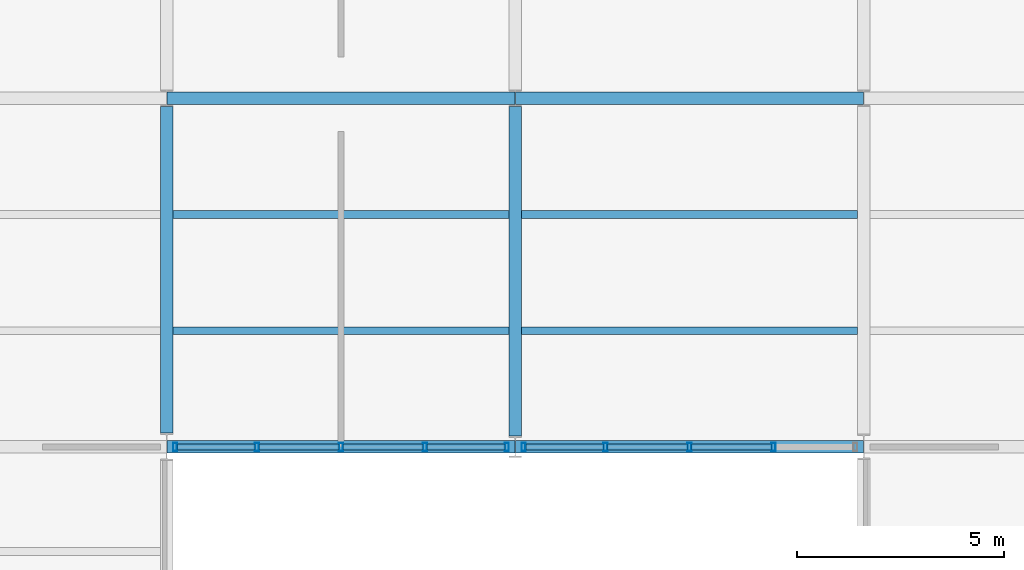
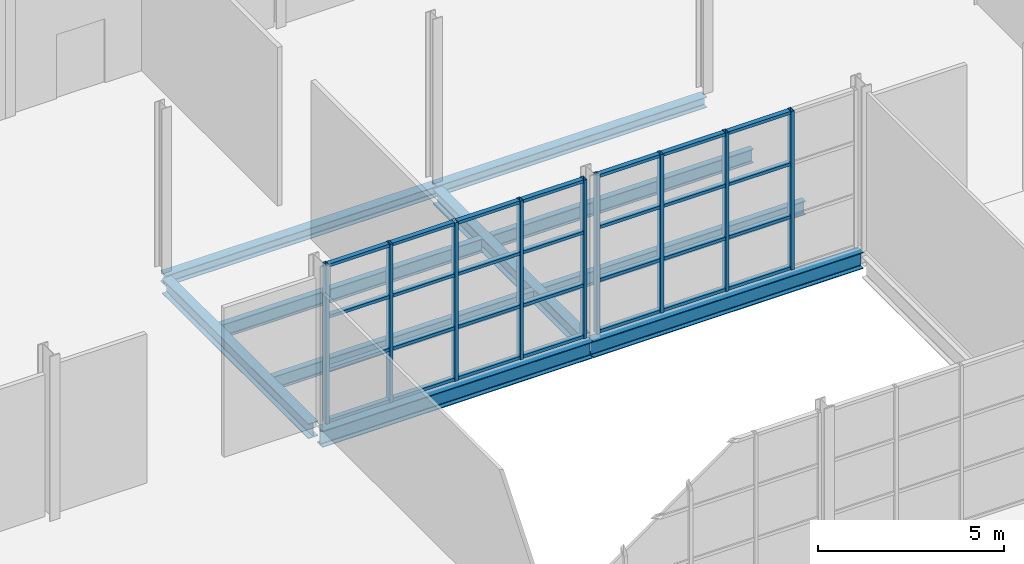
# One storey, part 14 of 57: 37 members, 10 beams, 2 elements without a shape of their own.
"""IFC4 building model written with IfcOpenShell, lengths in metres."""

from ifc_helpers import new_model, si_unit, direction, frame, origin, origin_2d, place, context, subcontext, project, spatial, hollow_rectangle, i_section, extrude, material, layer, layer_set, material_profile, profile_set, type_object, element, aggregate, save


model = new_model("IFC4")

# Units and contexts
model_context = context("Model", 3, precision=1e-05, world=origin(), true_north=direction((0.0, 1.0)))
body_context = subcontext(model_context, "Body", "Model", "MODEL_VIEW")
ifc_project = project(units=[si_unit("LENGTHUNIT", "METRE"), si_unit("AREAUNIT", "SQUARE_METRE"), si_unit("VOLUMEUNIT", "CUBIC_METRE"), si_unit("PLANEANGLEUNIT", "RADIAN"), si_unit("MASSUNIT", "GRAM", prefix="KILO")], contexts=[model_context])

# Site, building, storey
site_placement = place(None, origin())
site = spatial("IfcSite", under=ifc_project, at=site_placement, CompositionType="ELEMENT")
building_placement = place(site_placement, origin())
building = spatial("IfcBuilding", under=site, at=building_placement, Name="Galleria Vessillo Department Store", CompositionType="ELEMENT")
storey_placement = place(building_placement, frame((0.0, 0.0, 25.800048828125)))
storey = spatial("IfcBuildingStorey", under=building, at=storey_placement, Name="L05", CompositionType="ELEMENT", Elevation=25.800048828125)

# Beams
ifc_material_1 = material(Name="Steel S355 J2", Category="steel")
ifc_material_profile_1 = material_profile(ifc_material_1, i_section(OverallWidth=0.300048828125, OverallDepth=0.489990234375, WebThickness=0.011962890625, FlangeThickness=0.02294921875, FilletRadius=0.027099609375, at=origin_2d()), Name="HEA 500")
ifc_profile_set_1 = profile_set([ifc_material_profile_1], Name="Steel S355 J2")
beam_type_1 = type_object("IfcBeamType", Name="Floor girder HEA 500", PredefinedType="BEAM", material=ifc_profile_set_1)
beam_1_placement = place(storey_placement, frame((16.800048828125, 38.134033203125, -0.39501953125), z_axis=(0.0, 1.0, 0.0), x_axis=(-1.0, 0.0, 0.0)))
element("IfcBeam", 1, at=beam_1_placement, inside=storey, type_object=beam_type_1, Name="S-BM-L05-GI-y16800-38134", PredefinedType="BEAM", context=body_context, shape_type="SweptSolid", body=[
    extrude(i_section(OverallWidth=0.300048828125, OverallDepth=0.489990234375, WebThickness=0.011962890625, FlangeThickness=0.02294921875, FilletRadius=0.027099609375, at=origin_2d()), origin(), (0.0, 0.0, 1.0), 7.86572265625),
])
beam_2_placement = place(storey_placement, frame((25.199951171875, 38.06201171875, -0.39501953125), z_axis=(0.0, 1.0, 0.0), x_axis=(-1.0, 0.0, 0.0)))
element("IfcBeam", 2, at=beam_2_placement, inside=storey, type_object=beam_type_1, Name="S-BM-L05-GI-y25200-38062", PredefinedType="BEAM", context=body_context, shape_type="SweptSolid", body=[
    extrude(i_section(OverallWidth=0.300048828125, OverallDepth=0.489990234375, WebThickness=0.011962890625, FlangeThickness=0.02294921875, FilletRadius=0.027099609375, at=origin_2d()), origin(), (0.0, 0.0, 1.0), 7.937744140625),
])
ifc_material_2 = material(Name="Steel S355 J2", Category="steel")
ifc_material_profile_2 = material_profile(ifc_material_2, i_section(OverallWidth=0.18994140625, OverallDepth=0.449951171875, WebThickness=0.009521484375, FlangeThickness=0.0146484375, FilletRadius=0.02099609375, at=origin_2d()), Name="IPE 450")
ifc_profile_set_2 = profile_set([ifc_material_profile_2], Name="Steel S355 J2")
beam_type_2 = type_object("IfcBeamType", Name="Floor joist IPE 450", PredefinedType="JOIST", material=ifc_profile_set_2)
for number, where, z_axis, x_axis, name in (
    (3, (16.9501953125, 40.60009765625, -0.375), (1.0, 0.0, 0.0), (0.0, 1.0, 0.0), "S-BM-L05-JO-x40600-16950"),
    (4, (16.9501953125, 43.39990234375, -0.375), (1.0, 0.0, 0.0), (0.0, 1.0, 0.0), "S-BM-L05-JO-x43400-16950"),
):
    element("IfcBeam", number, at=place(storey_placement, frame(where, z_axis=z_axis, x_axis=x_axis)), inside=storey, type_object=beam_type_2, Name=name, PredefinedType="JOIST", context=body_context, shape_type="SweptSolid", body=[
        extrude(i_section(OverallWidth=0.18994140625, OverallDepth=0.449951171875, WebThickness=0.009521484375, FlangeThickness=0.0146484375, FilletRadius=0.02099609375, at=origin_2d()), origin(), (0.0, 0.0, 1.0), 8.099609375),
    ])
for number, where, z_axis, x_axis, name in (
    (5, (25.35009765625, 40.60009765625, -0.375), (1.0, 0.0, 0.0), (0.0, 1.0, 0.0), "S-BM-L05-JO-x40600-25350"),
    (6, (25.35009765625, 43.39990234375, -0.375), (1.0, 0.0, 0.0), (0.0, 1.0, 0.0), "S-BM-L05-JO-x43400-25350"),
):
    element("IfcBeam", number, at=place(storey_placement, frame(where, z_axis=z_axis, x_axis=x_axis)), inside=storey, type_object=beam_type_2, Name=name, PredefinedType="JOIST", context=body_context, shape_type="SweptSolid", body=[
        extrude(i_section(OverallWidth=0.18994140625, OverallDepth=0.449951171875, WebThickness=0.009521484375, FlangeThickness=0.0146484375, FilletRadius=0.02099609375, at=origin_2d()), origin(), (0.0, 0.0, 1.0), 8.099853515625),
    ])
ifc_material_3 = material(Name="Steel S355 J2", Category="steel")
ifc_material_profile_3 = material_profile(ifc_material_3, i_section(OverallWidth=0.300048828125, OverallDepth=0.35009765625, WebThickness=0.010009765625, FlangeThickness=0.017578125, FilletRadius=0.027099609375, at=origin_2d()), Name="HEA 360")
ifc_profile_set_3 = profile_set([ifc_material_profile_3], Name="Steel S355 J2")
beam_type_3 = type_object("IfcBeamType", Name="Floor tie girder HEA 360", PredefinedType="BEAM", material=ifc_profile_set_3)
for number, where, z_axis, x_axis, name in (
    (7, (16.806884765625, 46.199951171875, -0.324951171875), (1.0, 0.0, 0.0), (0.0, 1.0, 0.0), "S-BM-L05-TI-x46200-16807"),
    (8, (25.206787109375, 46.199951171875, -0.324951171875), (1.0, 0.0, 0.0), (0.0, 1.0, 0.0), "S-BM-L05-TI-x46200-25207"),
):
    element("IfcBeam", number, at=place(storey_placement, frame(where, z_axis=z_axis, x_axis=x_axis)), inside=storey, type_object=beam_type_3, Name=name, PredefinedType="BEAM", context=body_context, shape_type="SweptSolid", body=[
        extrude(i_section(OverallWidth=0.300048828125, OverallDepth=0.35009765625, WebThickness=0.010009765625, FlangeThickness=0.017578125, FilletRadius=0.027099609375, at=origin_2d()), origin(), (0.0, 0.0, 1.0), 8.38623046875),
    ])

# Curtain wall, members
ifc_material_4 = material(Name="Steel and fire-resisting glass curtain wall", Category="steel")
ifc_layer = layer(ifc_material_4, 0.199951171875)
ifc_layer_set = layer_set([ifc_layer], Name="Steel and fire-resisting glass curtain wall")
curtain_wall_type = type_object("IfcCurtainWallType", Name="Arcade fire-resisting glazed shopfront EI 120-Sa", PredefinedType="NOTDEFINED", material=ifc_layer_set)
curtain_wall_1_placement = place(storey_placement, origin())
curtain_wall_1 = element("IfcCurtainWall", 9, at=curtain_wall_1_placement, inside=storey, type_object=curtain_wall_type, Name="Arcade fire-resisting glazed shopfront EI 120-Sa AI-AW-N-L05-01", PredefinedType="NOTDEFINED")
ifc_material_5 = material(Name="Steel S355 J2", Category="steel")
ifc_material_profile_4 = material_profile(ifc_material_5, hollow_rectangle(XDim=0.199951171875, YDim=0.10009765625, WallThickness=0.008056640625, at=origin_2d()), Name="RHS 200x100x8")
ifc_profile_set_4 = profile_set([ifc_material_profile_4], Name="Steel S355 J2")
member_type_1 = type_object("IfcMemberType", Name="Steel mullion RHS 200x100x8", PredefinedType="MULLION", material=ifc_profile_set_4)
member_1_placement = place(storey_placement, frame((17.002685546875, 37.800048828125, 0.0), z_axis=(0.0, 0.0, 1.0), x_axis=(0.0, 1.0, 0.0)))
member_1 = element("IfcMember", 10, at=member_1_placement, type_object=member_type_1, Name="CW7 mullion 1", PredefinedType="MULLION", context=body_context, shape_type="SweptSolid", body=[
    extrude(hollow_rectangle(XDim=0.199951171875, YDim=0.10009765625, WallThickness=0.008056640625, at=origin_2d()), origin(), (0.0, 0.0, 1.0), 5.199951171875),
])
member_2_placement = place(storey_placement, frame((18.97607421875, 37.800048828125, 0.0), z_axis=(0.0, 0.0, 1.0), x_axis=(0.0, 1.0, 0.0)))
member_2 = element("IfcMember", 11, at=member_2_placement, type_object=member_type_1, Name="CW7 mullion 2", PredefinedType="MULLION", context=body_context, shape_type="SweptSolid", body=[
    extrude(hollow_rectangle(XDim=0.199951171875, YDim=0.10009765625, WallThickness=0.008056640625, at=origin_2d()), origin(), (0.0, 0.0, 1.0), 5.199951171875),
])
member_3_placement = place(storey_placement, frame((20.999755859375, 37.800048828125, 0.0), z_axis=(0.0, 0.0, 1.0), x_axis=(0.0, 1.0, 0.0)))
member_3 = element("IfcMember", 12, at=member_3_placement, type_object=member_type_1, Name="CW7 mullion 3", PredefinedType="MULLION", context=body_context, shape_type="SweptSolid", body=[
    extrude(hollow_rectangle(XDim=0.199951171875, YDim=0.10009765625, WallThickness=0.008056640625, at=origin_2d()), origin(), (0.0, 0.0, 1.0), 5.199951171875),
])
member_4_placement = place(storey_placement, frame((23.0234375, 37.800048828125, 0.0), z_axis=(0.0, 0.0, 1.0), x_axis=(0.0, 1.0, 0.0)))
member_4 = element("IfcMember", 13, at=member_4_placement, type_object=member_type_1, Name="CW7 mullion 4", PredefinedType="MULLION", context=body_context, shape_type="SweptSolid", body=[
    extrude(hollow_rectangle(XDim=0.199951171875, YDim=0.10009765625, WallThickness=0.008056640625, at=origin_2d()), origin(), (0.0, 0.0, 1.0), 5.199951171875),
])
member_5_placement = place(storey_placement, frame((24.996826171875, 37.800048828125, 0.0), z_axis=(0.0, 0.0, 1.0), x_axis=(0.0, 1.0, 0.0)))
member_5 = element("IfcMember", 14, at=member_5_placement, type_object=member_type_1, Name="CW7 mullion 5", PredefinedType="MULLION", context=body_context, shape_type="SweptSolid", body=[
    extrude(hollow_rectangle(XDim=0.199951171875, YDim=0.10009765625, WallThickness=0.008056640625, at=origin_2d()), origin(), (0.0, 0.0, 1.0), 5.199951171875),
])

curtain_wall_2_placement = place(storey_placement, origin())
curtain_wall_2 = element("IfcCurtainWall", 15, at=curtain_wall_2_placement, inside=storey, type_object=curtain_wall_type, Name="Arcade fire-resisting glazed shopfront EI 120-Sa AI-AW-N-L05-02", PredefinedType="NOTDEFINED")
member_6_placement = place(storey_placement, frame((25.403076171875, 37.800048828125, 0.0), z_axis=(0.0, 0.0, 1.0), x_axis=(0.0, 1.0, 0.0)))
member_6 = element("IfcMember", 16, at=member_6_placement, type_object=member_type_1, Name="CW7 mullion 1", PredefinedType="MULLION", context=body_context, shape_type="SweptSolid", body=[
    extrude(hollow_rectangle(XDim=0.199951171875, YDim=0.10009765625, WallThickness=0.008056640625, at=origin_2d()), origin(), (0.0, 0.0, 1.0), 5.199951171875),
])
member_7_placement = place(storey_placement, frame((27.376708984375, 37.800048828125, 0.0), z_axis=(0.0, 0.0, 1.0), x_axis=(0.0, 1.0, 0.0)))
member_7 = element("IfcMember", 17, at=member_7_placement, type_object=member_type_1, Name="CW7 mullion 2", PredefinedType="MULLION", context=body_context, shape_type="SweptSolid", body=[
    extrude(hollow_rectangle(XDim=0.199951171875, YDim=0.10009765625, WallThickness=0.008056640625, at=origin_2d()), origin(), (0.0, 0.0, 1.0), 5.199951171875),
])
member_8_placement = place(storey_placement, frame((29.400390625, 37.800048828125, 0.0), z_axis=(0.0, 0.0, 1.0), x_axis=(0.0, 1.0, 0.0)))
member_8 = element("IfcMember", 18, at=member_8_placement, type_object=member_type_1, Name="CW7 mullion 3", PredefinedType="MULLION", context=body_context, shape_type="SweptSolid", body=[
    extrude(hollow_rectangle(XDim=0.199951171875, YDim=0.10009765625, WallThickness=0.008056640625, at=origin_2d()), origin(), (0.0, 0.0, 1.0), 5.199951171875),
])
member_9_placement = place(storey_placement, frame((31.423828125, 37.800048828125, 0.0), z_axis=(0.0, 0.0, 1.0), x_axis=(0.0, 1.0, 0.0)))
member_9 = element("IfcMember", 19, at=member_9_placement, type_object=member_type_1, Name="CW7 mullion 4", PredefinedType="MULLION", context=body_context, shape_type="SweptSolid", body=[
    extrude(hollow_rectangle(XDim=0.199951171875, YDim=0.10009765625, WallThickness=0.008056640625, at=origin_2d()), origin(), (0.0, 0.0, 1.0), 5.199951171875),
])

# Member
ifc_material_6 = material(Name="Steel S355 J2", Category="steel")
ifc_material_profile_5 = material_profile(ifc_material_6, hollow_rectangle(XDim=0.14990234375, YDim=0.10009765625, WallThickness=0.008056640625, at=origin_2d()), Name="RHS 150x100x8")
ifc_profile_set_5 = profile_set([ifc_material_profile_5], Name="Steel S355 J2")
member_type_2 = type_object("IfcMemberType", Name="Steel transom RHS 150x100x8", PredefinedType="USERDEFINED", material=ifc_profile_set_5)
member_10_placement = place(storey_placement, frame((17.052734375, 37.800048828125, 0.050048828125), z_axis=(1.0, 0.0, 0.0), x_axis=(0.0, 1.0, 0.0)))
member_10 = element("IfcMember", 20, at=member_10_placement, type_object=member_type_2, Name="CW7 transom 1.1", ObjectType="TRANSOM", PredefinedType="USERDEFINED", context=body_context, shape_type="SweptSolid", body=[
    extrude(hollow_rectangle(XDim=0.14990234375, YDim=0.10009765625, WallThickness=0.008056640625, at=origin_2d()), origin(), (0.0, 0.0, 1.0), 1.87353515625),
])

member_11_placement = place(storey_placement, frame((17.052734375, 37.800048828125, 1.7333984375), z_axis=(1.0, 0.0, 0.0), x_axis=(0.0, 1.0, 0.0)))
member_11 = element("IfcMember", 21, at=member_11_placement, type_object=member_type_2, Name="CW7 transom 1.2", ObjectType="TRANSOM", PredefinedType="USERDEFINED", context=body_context, shape_type="SweptSolid", body=[
    extrude(hollow_rectangle(XDim=0.14990234375, YDim=0.10009765625, WallThickness=0.008056640625, at=origin_2d()), origin(), (0.0, 0.0, 1.0), 1.87353515625),
])

member_12_placement = place(storey_placement, frame((17.052734375, 37.800048828125, 3.466552734375), z_axis=(1.0, 0.0, 0.0), x_axis=(0.0, 1.0, 0.0)))
member_12 = element("IfcMember", 22, at=member_12_placement, type_object=member_type_2, Name="CW7 transom 1.3", ObjectType="TRANSOM", PredefinedType="USERDEFINED", context=body_context, shape_type="SweptSolid", body=[
    extrude(hollow_rectangle(XDim=0.14990234375, YDim=0.10009765625, WallThickness=0.008056640625, at=origin_2d()), origin(), (0.0, 0.0, 1.0), 1.87353515625),
])

member_13_placement = place(storey_placement, frame((17.052734375, 37.800048828125, 5.14990234375), z_axis=(1.0, 0.0, 0.0), x_axis=(0.0, 1.0, 0.0)))
member_13 = element("IfcMember", 23, at=member_13_placement, type_object=member_type_2, Name="CW7 transom 1.4", ObjectType="TRANSOM", PredefinedType="USERDEFINED", context=body_context, shape_type="SweptSolid", body=[
    extrude(hollow_rectangle(XDim=0.14990234375, YDim=0.10009765625, WallThickness=0.008056640625, at=origin_2d()), origin(), (0.0, 0.0, 1.0), 1.87353515625),
])

member_14_placement = place(storey_placement, frame((19.026123046875, 37.800048828125, 0.050048828125), z_axis=(1.0, 0.0, 0.0), x_axis=(0.0, 1.0, 0.0)))
member_14 = element("IfcMember", 24, at=member_14_placement, type_object=member_type_2, Name="CW7 transom 2.1", ObjectType="TRANSOM", PredefinedType="USERDEFINED", context=body_context, shape_type="SweptSolid", body=[
    extrude(hollow_rectangle(XDim=0.14990234375, YDim=0.10009765625, WallThickness=0.008056640625, at=origin_2d()), origin(), (0.0, 0.0, 1.0), 1.923583984375),
])

member_15_placement = place(storey_placement, frame((19.026123046875, 37.800048828125, 1.7333984375), z_axis=(1.0, 0.0, 0.0), x_axis=(0.0, 1.0, 0.0)))
member_15 = element("IfcMember", 25, at=member_15_placement, type_object=member_type_2, Name="CW7 transom 2.2", ObjectType="TRANSOM", PredefinedType="USERDEFINED", context=body_context, shape_type="SweptSolid", body=[
    extrude(hollow_rectangle(XDim=0.14990234375, YDim=0.10009765625, WallThickness=0.008056640625, at=origin_2d()), origin(), (0.0, 0.0, 1.0), 1.923583984375),
])

member_16_placement = place(storey_placement, frame((19.026123046875, 37.800048828125, 3.466552734375), z_axis=(1.0, 0.0, 0.0), x_axis=(0.0, 1.0, 0.0)))
member_16 = element("IfcMember", 26, at=member_16_placement, type_object=member_type_2, Name="CW7 transom 2.3", ObjectType="TRANSOM", PredefinedType="USERDEFINED", context=body_context, shape_type="SweptSolid", body=[
    extrude(hollow_rectangle(XDim=0.14990234375, YDim=0.10009765625, WallThickness=0.008056640625, at=origin_2d()), origin(), (0.0, 0.0, 1.0), 1.923583984375),
])

member_17_placement = place(storey_placement, frame((19.026123046875, 37.800048828125, 5.14990234375), z_axis=(1.0, 0.0, 0.0), x_axis=(0.0, 1.0, 0.0)))
member_17 = element("IfcMember", 27, at=member_17_placement, type_object=member_type_2, Name="CW7 transom 2.4", ObjectType="TRANSOM", PredefinedType="USERDEFINED", context=body_context, shape_type="SweptSolid", body=[
    extrude(hollow_rectangle(XDim=0.14990234375, YDim=0.10009765625, WallThickness=0.008056640625, at=origin_2d()), origin(), (0.0, 0.0, 1.0), 1.923583984375),
])

member_18_placement = place(storey_placement, frame((21.0498046875, 37.800048828125, 0.050048828125), z_axis=(1.0, 0.0, 0.0), x_axis=(0.0, 1.0, 0.0)))
member_18 = element("IfcMember", 28, at=member_18_placement, type_object=member_type_2, Name="CW7 transom 3.1", ObjectType="TRANSOM", PredefinedType="USERDEFINED", context=body_context, shape_type="SweptSolid", body=[
    extrude(hollow_rectangle(XDim=0.14990234375, YDim=0.10009765625, WallThickness=0.008056640625, at=origin_2d()), origin(), (0.0, 0.0, 1.0), 1.923583984375),
])

member_19_placement = place(storey_placement, frame((21.0498046875, 37.800048828125, 1.7333984375), z_axis=(1.0, 0.0, 0.0), x_axis=(0.0, 1.0, 0.0)))
member_19 = element("IfcMember", 29, at=member_19_placement, type_object=member_type_2, Name="CW7 transom 3.2", ObjectType="TRANSOM", PredefinedType="USERDEFINED", context=body_context, shape_type="SweptSolid", body=[
    extrude(hollow_rectangle(XDim=0.14990234375, YDim=0.10009765625, WallThickness=0.008056640625, at=origin_2d()), origin(), (0.0, 0.0, 1.0), 1.923583984375),
])

member_20_placement = place(storey_placement, frame((21.0498046875, 37.800048828125, 3.466552734375), z_axis=(1.0, 0.0, 0.0), x_axis=(0.0, 1.0, 0.0)))
member_20 = element("IfcMember", 30, at=member_20_placement, type_object=member_type_2, Name="CW7 transom 3.3", ObjectType="TRANSOM", PredefinedType="USERDEFINED", context=body_context, shape_type="SweptSolid", body=[
    extrude(hollow_rectangle(XDim=0.14990234375, YDim=0.10009765625, WallThickness=0.008056640625, at=origin_2d()), origin(), (0.0, 0.0, 1.0), 1.923583984375),
])

member_21_placement = place(storey_placement, frame((21.0498046875, 37.800048828125, 5.14990234375), z_axis=(1.0, 0.0, 0.0), x_axis=(0.0, 1.0, 0.0)))
member_21 = element("IfcMember", 31, at=member_21_placement, type_object=member_type_2, Name="CW7 transom 3.4", ObjectType="TRANSOM", PredefinedType="USERDEFINED", context=body_context, shape_type="SweptSolid", body=[
    extrude(hollow_rectangle(XDim=0.14990234375, YDim=0.10009765625, WallThickness=0.008056640625, at=origin_2d()), origin(), (0.0, 0.0, 1.0), 1.923583984375),
])

member_22_placement = place(storey_placement, frame((23.0732421875, 37.800048828125, 0.050048828125), z_axis=(1.0, 0.0, 0.0), x_axis=(0.0, 1.0, 0.0)))
member_22 = element("IfcMember", 32, at=member_22_placement, type_object=member_type_2, Name="CW7 transom 4.1", ObjectType="TRANSOM", PredefinedType="USERDEFINED", context=body_context, shape_type="SweptSolid", body=[
    extrude(hollow_rectangle(XDim=0.14990234375, YDim=0.10009765625, WallThickness=0.008056640625, at=origin_2d()), origin(), (0.0, 0.0, 1.0), 1.87353515625),
])

member_23_placement = place(storey_placement, frame((23.0732421875, 37.800048828125, 1.7333984375), z_axis=(1.0, 0.0, 0.0), x_axis=(0.0, 1.0, 0.0)))
member_23 = element("IfcMember", 33, at=member_23_placement, type_object=member_type_2, Name="CW7 transom 4.2", ObjectType="TRANSOM", PredefinedType="USERDEFINED", context=body_context, shape_type="SweptSolid", body=[
    extrude(hollow_rectangle(XDim=0.14990234375, YDim=0.10009765625, WallThickness=0.008056640625, at=origin_2d()), origin(), (0.0, 0.0, 1.0), 1.87353515625),
])

member_24_placement = place(storey_placement, frame((23.0732421875, 37.800048828125, 3.466552734375), z_axis=(1.0, 0.0, 0.0), x_axis=(0.0, 1.0, 0.0)))
member_24 = element("IfcMember", 34, at=member_24_placement, type_object=member_type_2, Name="CW7 transom 4.3", ObjectType="TRANSOM", PredefinedType="USERDEFINED", context=body_context, shape_type="SweptSolid", body=[
    extrude(hollow_rectangle(XDim=0.14990234375, YDim=0.10009765625, WallThickness=0.008056640625, at=origin_2d()), origin(), (0.0, 0.0, 1.0), 1.87353515625),
])

member_25_placement = place(storey_placement, frame((23.0732421875, 37.800048828125, 5.14990234375), z_axis=(1.0, 0.0, 0.0), x_axis=(0.0, 1.0, 0.0)))
member_25 = element("IfcMember", 35, at=member_25_placement, type_object=member_type_2, Name="CW7 transom 4.4", ObjectType="TRANSOM", PredefinedType="USERDEFINED", context=body_context, shape_type="SweptSolid", body=[
    extrude(hollow_rectangle(XDim=0.14990234375, YDim=0.10009765625, WallThickness=0.008056640625, at=origin_2d()), origin(), (0.0, 0.0, 1.0), 1.87353515625),
])

aggregate(curtain_wall_1, [member_1, member_2, member_3, member_4, member_5, member_10, member_11, member_12, member_13, member_14, member_15, member_16, member_17, member_18, member_19, member_20, member_21, member_22, member_23, member_24, member_25])

member_26_placement = place(storey_placement, frame((25.453125, 37.800048828125, 0.050048828125), z_axis=(1.0, 0.0, 0.0), x_axis=(0.0, 1.0, 0.0)))
member_26 = element("IfcMember", 36, at=member_26_placement, type_object=member_type_2, Name="CW7 transom 1.1", ObjectType="TRANSOM", PredefinedType="USERDEFINED", context=body_context, shape_type="SweptSolid", body=[
    extrude(hollow_rectangle(XDim=0.14990234375, YDim=0.10009765625, WallThickness=0.008056640625, at=origin_2d()), origin(), (0.0, 0.0, 1.0), 1.87353515625),
])

member_27_placement = place(storey_placement, frame((25.453125, 37.800048828125, 1.7333984375), z_axis=(1.0, 0.0, 0.0), x_axis=(0.0, 1.0, 0.0)))
member_27 = element("IfcMember", 37, at=member_27_placement, type_object=member_type_2, Name="CW7 transom 1.2", ObjectType="TRANSOM", PredefinedType="USERDEFINED", context=body_context, shape_type="SweptSolid", body=[
    extrude(hollow_rectangle(XDim=0.14990234375, YDim=0.10009765625, WallThickness=0.008056640625, at=origin_2d()), origin(), (0.0, 0.0, 1.0), 1.87353515625),
])

member_28_placement = place(storey_placement, frame((25.453125, 37.800048828125, 3.466552734375), z_axis=(1.0, 0.0, 0.0), x_axis=(0.0, 1.0, 0.0)))
member_28 = element("IfcMember", 38, at=member_28_placement, type_object=member_type_2, Name="CW7 transom 1.3", ObjectType="TRANSOM", PredefinedType="USERDEFINED", context=body_context, shape_type="SweptSolid", body=[
    extrude(hollow_rectangle(XDim=0.14990234375, YDim=0.10009765625, WallThickness=0.008056640625, at=origin_2d()), origin(), (0.0, 0.0, 1.0), 1.87353515625),
])

member_29_placement = place(storey_placement, frame((25.453125, 37.800048828125, 5.14990234375), z_axis=(1.0, 0.0, 0.0), x_axis=(0.0, 1.0, 0.0)))
member_29 = element("IfcMember", 39, at=member_29_placement, type_object=member_type_2, Name="CW7 transom 1.4", ObjectType="TRANSOM", PredefinedType="USERDEFINED", context=body_context, shape_type="SweptSolid", body=[
    extrude(hollow_rectangle(XDim=0.14990234375, YDim=0.10009765625, WallThickness=0.008056640625, at=origin_2d()), origin(), (0.0, 0.0, 1.0), 1.87353515625),
])

member_30_placement = place(storey_placement, frame((27.4267578125, 37.800048828125, 0.050048828125), z_axis=(1.0, 0.0, 0.0), x_axis=(0.0, 1.0, 0.0)))
member_30 = element("IfcMember", 40, at=member_30_placement, type_object=member_type_2, Name="CW7 transom 2.1", ObjectType="TRANSOM", PredefinedType="USERDEFINED", context=body_context, shape_type="SweptSolid", body=[
    extrude(hollow_rectangle(XDim=0.14990234375, YDim=0.10009765625, WallThickness=0.008056640625, at=origin_2d()), origin(), (0.0, 0.0, 1.0), 1.923583984375),
])

member_31_placement = place(storey_placement, frame((27.4267578125, 37.800048828125, 1.7333984375), z_axis=(1.0, 0.0, 0.0), x_axis=(0.0, 1.0, 0.0)))
member_31 = element("IfcMember", 41, at=member_31_placement, type_object=member_type_2, Name="CW7 transom 2.2", ObjectType="TRANSOM", PredefinedType="USERDEFINED", context=body_context, shape_type="SweptSolid", body=[
    extrude(hollow_rectangle(XDim=0.14990234375, YDim=0.10009765625, WallThickness=0.008056640625, at=origin_2d()), origin(), (0.0, 0.0, 1.0), 1.923583984375),
])

member_32_placement = place(storey_placement, frame((27.4267578125, 37.800048828125, 3.466552734375), z_axis=(1.0, 0.0, 0.0), x_axis=(0.0, 1.0, 0.0)))
member_32 = element("IfcMember", 42, at=member_32_placement, type_object=member_type_2, Name="CW7 transom 2.3", ObjectType="TRANSOM", PredefinedType="USERDEFINED", context=body_context, shape_type="SweptSolid", body=[
    extrude(hollow_rectangle(XDim=0.14990234375, YDim=0.10009765625, WallThickness=0.008056640625, at=origin_2d()), origin(), (0.0, 0.0, 1.0), 1.923583984375),
])

member_33_placement = place(storey_placement, frame((27.4267578125, 37.800048828125, 5.14990234375), z_axis=(1.0, 0.0, 0.0), x_axis=(0.0, 1.0, 0.0)))
member_33 = element("IfcMember", 43, at=member_33_placement, type_object=member_type_2, Name="CW7 transom 2.4", ObjectType="TRANSOM", PredefinedType="USERDEFINED", context=body_context, shape_type="SweptSolid", body=[
    extrude(hollow_rectangle(XDim=0.14990234375, YDim=0.10009765625, WallThickness=0.008056640625, at=origin_2d()), origin(), (0.0, 0.0, 1.0), 1.923583984375),
])

member_34_placement = place(storey_placement, frame((29.4501953125, 37.800048828125, 0.050048828125), z_axis=(1.0, 0.0, 0.0), x_axis=(0.0, 1.0, 0.0)))
member_34 = element("IfcMember", 44, at=member_34_placement, type_object=member_type_2, Name="CW7 transom 3.1", ObjectType="TRANSOM", PredefinedType="USERDEFINED", context=body_context, shape_type="SweptSolid", body=[
    extrude(hollow_rectangle(XDim=0.14990234375, YDim=0.10009765625, WallThickness=0.008056640625, at=origin_2d()), origin(), (0.0, 0.0, 1.0), 1.923583984375),
])

member_35_placement = place(storey_placement, frame((29.4501953125, 37.800048828125, 1.7333984375), z_axis=(1.0, 0.0, 0.0), x_axis=(0.0, 1.0, 0.0)))
member_35 = element("IfcMember", 45, at=member_35_placement, type_object=member_type_2, Name="CW7 transom 3.2", ObjectType="TRANSOM", PredefinedType="USERDEFINED", context=body_context, shape_type="SweptSolid", body=[
    extrude(hollow_rectangle(XDim=0.14990234375, YDim=0.10009765625, WallThickness=0.008056640625, at=origin_2d()), origin(), (0.0, 0.0, 1.0), 1.923583984375),
])

member_36_placement = place(storey_placement, frame((29.4501953125, 37.800048828125, 3.466552734375), z_axis=(1.0, 0.0, 0.0), x_axis=(0.0, 1.0, 0.0)))
member_36 = element("IfcMember", 46, at=member_36_placement, type_object=member_type_2, Name="CW7 transom 3.3", ObjectType="TRANSOM", PredefinedType="USERDEFINED", context=body_context, shape_type="SweptSolid", body=[
    extrude(hollow_rectangle(XDim=0.14990234375, YDim=0.10009765625, WallThickness=0.008056640625, at=origin_2d()), origin(), (0.0, 0.0, 1.0), 1.923583984375),
])

member_37_placement = place(storey_placement, frame((29.4501953125, 37.800048828125, 5.14990234375), z_axis=(1.0, 0.0, 0.0), x_axis=(0.0, 1.0, 0.0)))
member_37 = element("IfcMember", 47, at=member_37_placement, type_object=member_type_2, Name="CW7 transom 3.4", ObjectType="TRANSOM", PredefinedType="USERDEFINED", context=body_context, shape_type="SweptSolid", body=[
    extrude(hollow_rectangle(XDim=0.14990234375, YDim=0.10009765625, WallThickness=0.008056640625, at=origin_2d()), origin(), (0.0, 0.0, 1.0), 1.923583984375),
])

aggregate(curtain_wall_2, [member_6, member_7, member_8, member_9, member_26, member_27, member_28, member_29, member_30, member_31, member_32, member_33, member_34, member_35, member_36, member_37])

# Beams
ifc_material_7 = material(Name="Steel S355 J2", Category="steel")
ifc_material_profile_6 = material_profile(ifc_material_7, i_section(OverallWidth=0.300048828125, OverallDepth=0.5400390625, WebThickness=0.012451171875, FlangeThickness=0.02392578125, FilletRadius=0.027099609375, at=origin_2d()), Name="HEA 550")
ifc_profile_set_6 = profile_set([ifc_material_profile_6], Name="Steel S355 J2")
beam_type_4 = type_object("IfcBeamType", Name="Trimmer beam HEA 550", PredefinedType="BEAM", material=ifc_profile_set_6)
beam_3_placement = place(storey_placement, frame((16.810546875, 37.800048828125, -0.419921875), z_axis=(1.0, 0.0, 0.0), x_axis=(0.0, 1.0, 0.0)))
element("IfcBeam", 48, at=beam_3_placement, inside=storey, type_object=beam_type_4, Name="S-BM-L05-TR-x37800-16811", PredefinedType="BEAM", context=body_context, shape_type="SweptSolid", body=[
    extrude(i_section(OverallWidth=0.300048828125, OverallDepth=0.5400390625, WebThickness=0.012451171875, FlangeThickness=0.02392578125, FilletRadius=0.027099609375, at=origin_2d()), origin(), (0.0, 0.0, 1.0), 8.37890625),
])
beam_4_placement = place(storey_placement, frame((25.210693359375, 37.800048828125, -0.419921875), z_axis=(1.0, 0.0, 0.0), x_axis=(0.0, 1.0, 0.0)))
element("IfcBeam", 49, at=beam_4_placement, inside=storey, type_object=beam_type_4, Name="S-BM-L05-TR-x37800-25211", PredefinedType="BEAM", context=body_context, shape_type="SweptSolid", body=[
    extrude(i_section(OverallWidth=0.300048828125, OverallDepth=0.5400390625, WebThickness=0.012451171875, FlangeThickness=0.02392578125, FilletRadius=0.027099609375, at=origin_2d()), origin(), (0.0, 0.0, 1.0), 8.378662109375),
])

save(model, "model.ifc")
